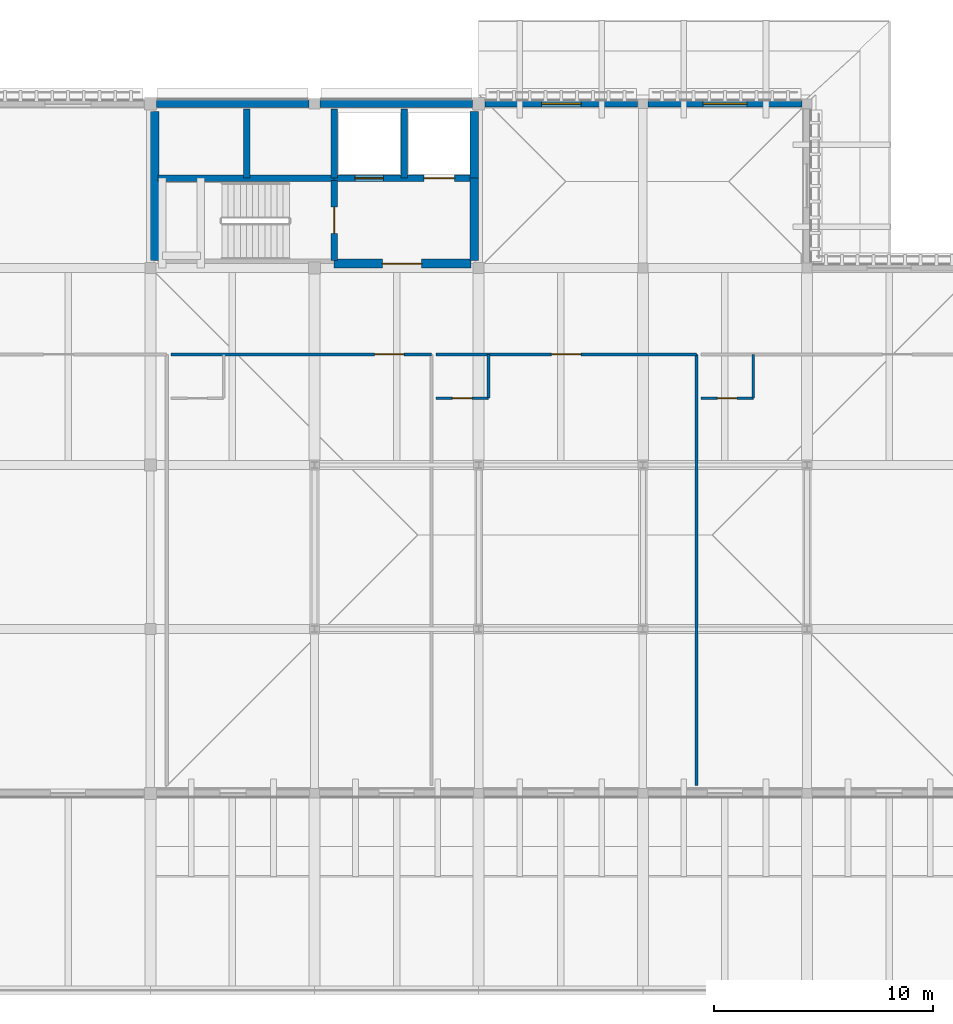
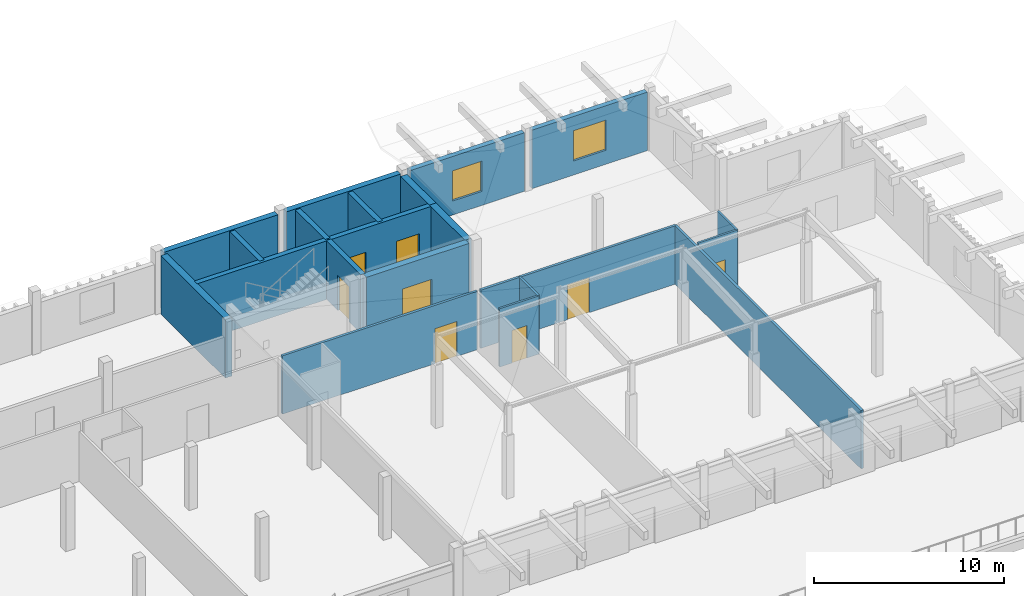
# One storey, part 25 of 48: 21 walls, 8 doors, 2 windows, 10 openings.
"""IFC4 building model written with IfcOpenShell, lengths in metres."""

from ifc_helpers import new_model, si_unit, direction, frame, frame_2d, origin, place, context, subcontext, project, spatial, rectangle, extrude, material, layer, layer_set, type_object, element, fill, save


model = new_model("IFC4")

# Units and contexts
model_context = context("Model", 3, precision=1e-05, world=origin(), true_north=direction((0.0, 1.0)))
body_context = subcontext(model_context, "Body", "Model", "MODEL_VIEW")
ifc_project = project(units=[si_unit("LENGTHUNIT", "METRE"), si_unit("AREAUNIT", "SQUARE_METRE"), si_unit("VOLUMEUNIT", "CUBIC_METRE"), si_unit("PLANEANGLEUNIT", "RADIAN"), si_unit("MASSUNIT", "GRAM", prefix="KILO")], contexts=[model_context])

# Site, building, storey
site_placement = place(None, origin())
site = spatial("IfcSite", under=ifc_project, at=site_placement, CompositionType="ELEMENT")
building_placement = place(site_placement, origin())
building = spatial("IfcBuilding", under=site, at=building_placement, Name="Dalvernix Boulevard General Hospital", CompositionType="ELEMENT")
storey_placement = place(building_placement, frame((0.0, 0.0, 17.85009765625)))
storey = spatial("IfcBuildingStorey", under=building, at=storey_placement, Name="L04", CompositionType="ELEMENT", Elevation=17.85009765625)

# Wall, opening, door
ifc_material_1 = material(Name="Concrete C40/50", Category="concrete")
ifc_layer_1 = layer(ifc_material_1, 0.39990234375)
ifc_layer_set_1 = layer_set([ifc_layer_1], Name="Concrete C40/50 (WAL-CSW-01)")
wall_type_1 = type_object("IfcWallType", Name="WAL-CSW-01", PredefinedType="SHEAR", material=ifc_layer_set_1)
wall_1_placement = place(storey_placement, frame((105.89990234375, 109.699951171875, 0.0), z_axis=(0.0, 0.0, 1.0), x_axis=(1.0, 0.0, 0.0)))
wall_1 = element("IfcWall", 1, at=wall_1_placement, inside=storey, type_object=wall_type_1, Name="L04 C4 south firefighting lobby wall", PredefinedType="SHEAR", context=body_context, shape_type="SweptSolid", body=[
    extrude(rectangle(XDim=6.25, YDim=0.39990234375, at=frame_2d((3.125, 0.0))), origin(), (0.0, 0.0, 1.0), 3.77001953125),
])
opening_1_placement = place(wall_1_placement, frame((2.199951171875, 0.0, 0.0)))
opening_1 = element("IfcOpeningElement", 2, at=opening_1_placement, cuts=wall_1, Name="Opening FD-01", PredefinedType="OPENING", context=body_context, shape_type="SweptSolid", body=[
    extrude(rectangle(XDim=1.800048828125, YDim=2.25, at=frame_2d((0.89990234375, 1.125))), frame((0.0, 0.2099609375, 0.0), z_axis=(0.0, -1.0, 0.0), x_axis=(1.0, 0.0, 0.0)), (0.0, 0.0, 1.0), 0.419921875),
])
ifc_material_2 = material(Name="Hospital laminate acoustic timber and steel frame", Category="steel")
door_type_1 = type_object("IfcDoorType", Name="DR-FD-01", OperationType="DOUBLE_DOOR_SINGLE_SWING", PredefinedType="DOOR", material=ifc_material_2)
door_1_placement = place(opening_1_placement, origin())
door_1 = element("IfcDoor", 3, at=door_1_placement, inside=storey, type_object=door_type_1, Name="L04 C4 firefighting lobby door", OperationType="DOUBLE_DOOR_SINGLE_SWING", OverallHeight=2.25, OverallWidth=1.800048828125, PredefinedType="DOOR", context=body_context, shape_type="SweptSolid", body=[
    extrude(rectangle(XDim=1.800048828125, YDim=2.25, at=frame_2d((0.89990234375, 1.125))), frame((0.0, 0.02490234375, 0.0), z_axis=(0.0, -1.0, 0.0), x_axis=(1.0, 0.0, 0.0)), (0.0, 0.0, 1.0), 0.050048828125),
])
fill(opening_1, door_1)

# Walls
wall_2_placement = place(storey_placement, frame((97.699951171875, 109.85009765625, 0.0), z_axis=(0.0, 0.0, 1.0), x_axis=(0.0, 1.0, 0.0)))
element("IfcWall", 4, at=wall_2_placement, inside=storey, type_object=wall_type_1, Name="L04 C4 west core wall", PredefinedType="SHEAR", context=body_context, shape_type="SweptSolid", body=[
    extrude(rectangle(XDim=6.7998046875, YDim=0.39990234375, at=frame_2d((3.39990234375, 0.0))), origin(), (0.0, 0.0, 1.0), 3.77001953125),
])
wall_3_placement = place(storey_placement, frame((112.300048828125, 109.85009765625, 0.0), z_axis=(0.0, 0.0, 1.0), x_axis=(0.0, 1.0, 0.0)))
element("IfcWall", 5, at=wall_3_placement, inside=storey, type_object=wall_type_1, Name="L04 C4 east lobby core wall", PredefinedType="SHEAR", context=body_context, shape_type="SweptSolid", body=[
    extrude(rectangle(XDim=3.75, YDim=0.39990234375, at=frame_2d((1.875, 0.0))), origin(), (0.0, 0.0, 1.0), 3.77001953125),
])
wall_4_placement = place(storey_placement, frame((112.300048828125, 113.60009765625, 0.0), z_axis=(0.0, 0.0, 1.0), x_axis=(0.0, 1.0, 0.0)))
element("IfcWall", 6, at=wall_4_placement, inside=storey, type_object=wall_type_1, Name="L04 C4 east shaft core wall", PredefinedType="SHEAR", context=body_context, shape_type="SweptSolid", body=[
    extrude(rectangle(XDim=3.0498046875, YDim=0.39990234375, at=frame_2d((1.52490234375, 0.0))), origin(), (0.0, 0.0, 1.0), 3.77001953125),
])
ifc_layer_2 = layer(ifc_material_1, 0.300048828125)
ifc_layer_set_2 = layer_set([ifc_layer_2], Name="Concrete C40/50 (WAL-CSW-02)")
wall_type_2 = type_object("IfcWallType", Name="WAL-CSW-02", PredefinedType="SHEAR", material=ifc_layer_set_2)
wall_5_placement = place(storey_placement, frame((97.85009765625, 113.60009765625, 0.0), z_axis=(0.0, 0.0, 1.0), x_axis=(1.0, 0.0, 0.0)))
element("IfcWall", 7, at=wall_5_placement, inside=storey, type_object=wall_type_2, Name="L04 C4 riser spine wall", PredefinedType="SHEAR", context=body_context, shape_type="SweptSolid", body=[
    extrude(rectangle(XDim=8.0498046875, YDim=0.300048828125, at=frame_2d((4.02490234375, 0.0))), origin(), (0.0, 0.0, 1.0), 3.77001953125),
])

# Wall, openings, doors
wall_6_placement = place(storey_placement, frame((105.89990234375, 113.60009765625, 0.0), z_axis=(0.0, 0.0, 1.0), x_axis=(1.0, 0.0, 0.0)))
wall_6 = element("IfcWall", 8, at=wall_6_placement, inside=storey, type_object=wall_type_2, Name="L04 C4 lift shaft front wall", PredefinedType="SHEAR", context=body_context, shape_type="SweptSolid", body=[
    extrude(rectangle(XDim=6.25, YDim=0.300048828125, at=frame_2d((3.125, 0.0))), origin(), (0.0, 0.0, 1.0), 3.77001953125),
])
opening_2_placement = place(wall_6_placement, frame((0.949951171875, 0.0, 0.0)))
opening_2 = element("IfcOpeningElement", 9, at=opening_2_placement, cuts=wall_6, Name="Opening LD-LF-03-L04", PredefinedType="OPENING", context=body_context, shape_type="SweptSolid", body=[
    extrude(rectangle(XDim=1.300048828125, YDim=2.199951171875, at=frame_2d((0.64990234375, 1.10009765625))), frame((0.0, 0.159912109375, 0.0), z_axis=(0.0, -1.0, 0.0), x_axis=(1.0, 0.0, 0.0)), (0.0, 0.0, 1.0), 0.320068359375),
])
opening_3_placement = place(wall_6_placement, frame((4.10009765625, 0.0, 0.0)))
opening_3 = element("IfcOpeningElement", 10, at=opening_3_placement, cuts=wall_6, Name="Opening LD-GL-01-L04", PredefinedType="OPENING", context=body_context, shape_type="SweptSolid", body=[
    extrude(rectangle(XDim=1.39990234375, YDim=2.25, at=frame_2d((0.699951171875, 1.125))), frame((0.0, 0.159912109375, 0.0), z_axis=(0.0, -1.0, 0.0), x_axis=(1.0, 0.0, 0.0)), (0.0, 0.0, 1.0), 0.320068359375),
])
ifc_material_3 = material(Name="Stainless-clad steel", Category="steel")
door_type_2 = type_object("IfcDoorType", Name="DR-LD-01", OperationType="DOUBLE_DOOR_SLIDING", PredefinedType="DOOR", material=ifc_material_3)
door_2_placement = place(opening_3_placement, origin())
door_2 = element("IfcDoor", 11, at=door_2_placement, inside=storey, type_object=door_type_2, Name="L04 Lift GL-01 sliding landing door", OperationType="DOUBLE_DOOR_SLIDING", OverallHeight=2.25, OverallWidth=1.39990234375, PredefinedType="DOOR", context=body_context, shape_type="SweptSolid", body=[
    extrude(rectangle(XDim=1.39990234375, YDim=2.25, at=frame_2d((0.699951171875, 1.125))), frame((0.0, 0.02490234375, 0.0), z_axis=(0.0, -1.0, 0.0), x_axis=(1.0, 0.0, 0.0)), (0.0, 0.0, 1.0), 0.050048828125),
])
fill(opening_3, door_2)
door_type_3 = type_object("IfcDoorType", Name="DR-LD-02", OperationType="DOUBLE_DOOR_SLIDING", PredefinedType="DOOR", material=ifc_material_3)
door_3_placement = place(opening_2_placement, origin())
door_3 = element("IfcDoor", 12, at=door_3_placement, inside=storey, type_object=door_type_3, Name="L04 Lift LF-03 sliding landing door", OperationType="DOUBLE_DOOR_SLIDING", OverallHeight=2.199951171875, OverallWidth=1.300048828125, PredefinedType="DOOR", context=body_context, shape_type="SweptSolid", body=[
    extrude(rectangle(XDim=1.300048828125, YDim=2.199951171875, at=frame_2d((0.64990234375, 1.10009765625))), frame((0.0, 0.02490234375, 0.0), z_axis=(0.0, -1.0, 0.0), x_axis=(1.0, 0.0, 0.0)), (0.0, 0.0, 1.0), 0.050048828125),
])
fill(opening_2, door_3)

# Wall, opening, door
wall_7_placement = place(storey_placement, frame((105.89990234375, 113.5, 0.0), z_axis=(0.0, 0.0, 1.0), x_axis=(0.0, -1.0, 0.0)))
wall_7 = element("IfcWall", 13, at=wall_7_placement, inside=storey, type_object=wall_type_2, Name="L04 C4 stairwell fire wall", PredefinedType="SHEAR", context=body_context, shape_type="SweptSolid", body=[
    extrude(rectangle(XDim=3.64990234375, YDim=0.300048828125, at=frame_2d((1.824951171875, 0.0))), origin(), (0.0, 0.0, 1.0), 3.77001953125),
])
opening_4_placement = place(wall_7_placement, frame((1.219970703125, 0.0, 0.0)))
opening_4 = element("IfcOpeningElement", 14, at=opening_4_placement, cuts=wall_7, Name="Opening FD-02", PredefinedType="OPENING", context=body_context, shape_type="SweptSolid", body=[
    extrude(rectangle(XDim=1.199951171875, YDim=2.25, at=frame_2d((0.60009765625, 1.125))), frame((0.0, 0.159912109375, 0.0), z_axis=(0.0, -1.0, 0.0), x_axis=(1.0, 0.0, 0.0)), (0.0, 0.0, 1.0), 0.320068359375),
])
door_type_4 = type_object("IfcDoorType", Name="DR-FD-02", OperationType="NOTDEFINED", PredefinedType="DOOR", material=ifc_material_2)
door_4_placement = place(opening_4_placement, origin())
door_4 = element("IfcDoor", 15, at=door_4_placement, inside=storey, type_object=door_type_4, Name="L04 Stair ST-04 fire door", OperationType="SINGLE_SWING_RIGHT", OverallHeight=2.25, OverallWidth=1.199951171875, PredefinedType="DOOR", context=body_context, shape_type="SweptSolid", body=[
    extrude(rectangle(XDim=1.199951171875, YDim=2.25, at=frame_2d((0.60009765625, 1.125))), frame((0.0, 0.02490234375, 0.0), z_axis=(0.0, -1.0, 0.0), x_axis=(1.0, 0.0, 0.0)), (0.0, 0.0, 1.0), 0.050048828125),
])
fill(opening_4, door_4)

# Walls
for number, where, z_axis, x_axis, name in (
    (16, (101.89990234375, 113.60009765625, 0.0), (0.0, 0.0, 1.0), (0.0, 1.0, 0.0), "L04 C4 shaft divider R1"),
    (17, (105.89990234375, 113.60009765625, 0.0), (0.0, 0.0, 1.0), (0.0, 1.0, 0.0), "L04 C4 shaft divider R2"),
    (18, (109.10009765625, 113.60009765625, 0.0), (0.0, 0.0, 1.0), (0.0, 1.0, 0.0), "L04 C4 shaft divider L1"),
):
    element("IfcWall", number, at=place(storey_placement, frame(where, z_axis=z_axis, x_axis=x_axis)), inside=storey, type_object=wall_type_2, Name=name, PredefinedType="SHEAR", context=body_context, shape_type="SweptSolid", body=[
        extrude(rectangle(XDim=3.14990234375, YDim=0.300048828125, at=frame_2d((1.574951171875, 0.0))), origin(), (0.0, 0.0, 1.0), 3.77001953125),
    ])
ifc_layer_3 = layer(ifc_material_1, 0.35009765625)
ifc_layer_set_3 = layer_set([ifc_layer_3], Name="Concrete C40/50 (WAL-ESW-01)")
wall_type_3 = type_object("IfcWallType", Name="WAL-ESW-01", PredefinedType="SHEAR", material=ifc_layer_set_3)
for number, where, z_axis, x_axis, name in (
    (19, (97.784912109375, 117.0, 0.0), (0.0, 0.0, 1.0), (1.0, 0.0, 0.0), "L04 core perimeter shear wall N 13-15"),
    (20, (105.260009765625, 117.0, 0.0), (0.0, 0.0, 1.0), (1.0, 0.0, 0.0), "L04 core perimeter shear wall N 14-15"),
):
    element("IfcWall", number, at=place(storey_placement, frame(where, z_axis=z_axis, x_axis=x_axis)), inside=storey, type_object=wall_type_3, Name=name, PredefinedType="SHEAR", context=body_context, shape_type="SweptSolid", body=[
        extrude(rectangle(XDim=6.955078125, YDim=0.35009765625, at=frame_2d((3.4775390625, 0.0))), origin(), (0.0, 0.0, 1.0), 3.77001953125),
    ])

# Wall, opening, window
ifc_material_4 = material(Name="Pressed Catalan clay brick and ceramic spandrel wall C35/45", Category="masonry")
ifc_layer_4 = layer(ifc_material_4, 0.300048828125)
ifc_layer_set_4 = layer_set([ifc_layer_4], Name="Pressed Catalan clay brick and ceramic spandrel wall C35/45 (WAL-EW-02)")
wall_type_4 = type_object("IfcWallType", Name="WAL-EW-02", PredefinedType="STANDARD", material=ifc_layer_set_4)
wall_8_placement = place(storey_placement, frame((112.784912109375, 117.0, 0.0), z_axis=(0.0, 0.0, 1.0), x_axis=(1.0, 0.0, 0.0)))
wall_8 = element("IfcWall", 21, at=wall_8_placement, inside=storey, type_object=wall_type_4, Name="L04 Catalan brick external wall N 15-15", PredefinedType="STANDARD", context=body_context, shape_type="SweptSolid", body=[
    extrude(rectangle(XDim=6.97998046875, YDim=0.300048828125, at=frame_2d((3.489990234375, 0.0))), origin(), (0.0, 0.0, 1.0), 3.77001953125),
])
opening_5_placement = place(wall_8_placement, frame((2.590087890625, 0.0, 0.89990234375)))
opening_5 = element("IfcOpeningElement", 22, at=opening_5_placement, cuts=wall_8, Name="Opening WN-11", PredefinedType="OPENING", context=body_context, shape_type="SweptSolid", body=[
    extrude(rectangle(XDim=1.800048828125, YDim=1.949951171875, at=frame_2d((0.89990234375, 0.97509765625))), frame((0.0, 0.159912109375, 0.0), z_axis=(0.0, -1.0, 0.0), x_axis=(1.0, 0.0, 0.0)), (0.0, 0.0, 1.0), 0.320068359375),
])
ifc_material_5 = material(Name="Thermally broken aluminium frame with solar-control double glazing", Category="aluminium")
window_type_1 = type_object("IfcWindowType", Name="WIN-WN-11", PartitioningType="SINGLE_PANEL", PredefinedType="WINDOW", material=ifc_material_5)
window_1_placement = place(opening_5_placement, origin())
window_1 = element("IfcWindow", 23, at=window_1_placement, inside=storey, type_object=window_type_1, Name="L04 clinical window WN-11 N 15-15", OverallHeight=1.949951171875, OverallWidth=1.800048828125, PartitioningType="SINGLE_PANEL", PredefinedType="WINDOW", context=body_context, shape_type="SweptSolid", body=[
    extrude(rectangle(XDim=1.800048828125, YDim=1.949951171875, at=frame_2d((0.89990234375, 0.97509765625))), frame((0.0, 0.030029296875, 0.0), z_axis=(0.0, -1.0, 0.0), x_axis=(1.0, 0.0, 0.0)), (0.0, 0.0, 1.0), 0.06005859375),
])
fill(opening_5, window_1)

wall_9_placement = place(storey_placement, frame((120.235107421875, 117.0, 0.0), z_axis=(0.0, 0.0, 1.0), x_axis=(1.0, 0.0, 0.0)))
wall_9 = element("IfcWall", 24, at=wall_9_placement, inside=storey, type_object=wall_type_4, Name="L04 Catalan brick external wall N 16-15", PredefinedType="STANDARD", context=body_context, shape_type="SweptSolid", body=[
    extrude(rectangle(XDim=7.02978515625, YDim=0.300048828125, at=frame_2d((3.514892578125, 0.0))), origin(), (0.0, 0.0, 1.0), 3.77001953125),
])
opening_6_placement = place(wall_9_placement, frame((2.514892578125, 0.0, 0.89990234375)))
opening_6 = element("IfcOpeningElement", 25, at=opening_6_placement, cuts=wall_9, Name="Opening WN-12", PredefinedType="OPENING", context=body_context, shape_type="SweptSolid", body=[
    extrude(rectangle(XDim=2.0, YDim=1.949951171875, at=frame_2d((1.0, 0.97509765625))), frame((0.0, 0.159912109375, 0.0), z_axis=(0.0, -1.0, 0.0), x_axis=(1.0, 0.0, 0.0)), (0.0, 0.0, 1.0), 0.320068359375),
])
window_type_2 = type_object("IfcWindowType", Name="WIN-WN-12", PartitioningType="SINGLE_PANEL", PredefinedType="WINDOW", material=ifc_material_5)
window_2_placement = place(opening_6_placement, origin())
window_2 = element("IfcWindow", 26, at=window_2_placement, inside=storey, type_object=window_type_2, Name="L04 clinical window WN-12 N 16-15", OverallHeight=1.949951171875, OverallWidth=2.0, PartitioningType="SINGLE_PANEL", PredefinedType="WINDOW", context=body_context, shape_type="SweptSolid", body=[
    extrude(rectangle(XDim=2.0, YDim=1.949951171875, at=frame_2d((1.0, 0.97509765625))), frame((0.0, 0.030029296875, 0.0), z_axis=(0.0, -1.0, 0.0), x_axis=(1.0, 0.0, 0.0)), (0.0, 0.0, 1.0), 0.06005859375),
])
fill(opening_6, window_2)

# Wall, opening, door
ifc_material_6 = material(Name="Acoustic double-stud gypsum inpatient partition")
ifc_layer_5 = layer(ifc_material_6, 0.14990234375)
ifc_layer_set_5 = layer_set([ifc_layer_5], Name="Acoustic double-stud gypsum inpatient partition (WAL-IW-04)")
wall_type_5 = type_object("IfcWallType", Name="WAL-IW-04", PredefinedType="PARTITIONING", material=ifc_layer_set_5)
wall_10_placement = place(storey_placement, frame((110.35009765625, 105.550048828125, 0.0), z_axis=(0.0, 0.0, 1.0), x_axis=(-1.0, 0.0, 0.0)))
wall_10 = element("IfcWall", 27, at=wall_10_placement, inside=storey, type_object=wall_type_5, Name="L04 Post-Operative Surgical Patient Room L04-06 corridor wall", PredefinedType="PARTITIONING", context=body_context, shape_type="SweptSolid", body=[
    extrude(rectangle(XDim=11.900146484375, YDim=0.14990234375, at=frame_2d((5.9501953125, 0.0))), origin(), (0.0, 0.0, 1.0), 3.7548828125),
])
opening_7_placement = place(wall_10_placement, frame((1.2548828125, 0.0, 0.0)))
opening_7 = element("IfcOpeningElement", 28, at=opening_7_placement, cuts=wall_10, Name="Opening ID-01", PredefinedType="OPENING", context=body_context, shape_type="SweptSolid", body=[
    extrude(rectangle(XDim=1.35009765625, YDim=2.25, at=frame_2d((0.675048828125, 1.125))), frame((0.0, 0.0849609375, 0.0), z_axis=(0.0, -1.0, 0.0), x_axis=(1.0, 0.0, 0.0)), (0.0, 0.0, 1.0), 0.169921875),
])
door_type_5 = type_object("IfcDoorType", Name="DR-ID-01", OperationType="NOTDEFINED", PredefinedType="DOOR", material=ifc_material_2)
door_5_placement = place(opening_7_placement, origin())
door_5 = element("IfcDoor", 29, at=door_5_placement, inside=storey, type_object=door_type_5, Name="L04 Post-Operative Surgical Patient Room L04-06 door", OperationType="SINGLE_SWING_LEFT", OverallHeight=2.25, OverallWidth=1.35009765625, PredefinedType="DOOR", context=body_context, shape_type="SweptSolid", body=[
    extrude(rectangle(XDim=1.35009765625, YDim=2.25, at=frame_2d((0.675048828125, 1.125))), frame((0.0, 0.02490234375, 0.0), z_axis=(0.0, -1.0, 0.0), x_axis=(1.0, 0.0, 0.0)), (0.0, 0.0, 1.0), 0.050048828125),
])
fill(opening_7, door_5)

wall_11_placement = place(storey_placement, frame((122.449951171875, 105.550048828125, 0.0), z_axis=(0.0, 0.0, 1.0), x_axis=(-1.0, 0.0, 0.0)))
wall_11 = element("IfcWall", 30, at=wall_11_placement, inside=storey, type_object=wall_type_5, Name="L04 Post-Operative Surgical Patient Room L04-07 corridor wall", PredefinedType="PARTITIONING", context=body_context, shape_type="SweptSolid", body=[
    extrude(rectangle(XDim=11.89990234375, YDim=0.14990234375, at=frame_2d((5.949951171875, 0.0))), origin(), (0.0, 0.0, 1.0), 3.7548828125),
])
opening_8_placement = place(wall_11_placement, frame((5.27490234375, 0.0, 0.0)))
opening_8 = element("IfcOpeningElement", 31, at=opening_8_placement, cuts=wall_11, Name="Opening ID-01", PredefinedType="OPENING", context=body_context, shape_type="SweptSolid", body=[
    extrude(rectangle(XDim=1.35009765625, YDim=2.25, at=frame_2d((0.675048828125, 1.125))), frame((0.0, 0.0849609375, 0.0), z_axis=(0.0, -1.0, 0.0), x_axis=(1.0, 0.0, 0.0)), (0.0, 0.0, 1.0), 0.169921875),
])
door_6_placement = place(opening_8_placement, origin())
door_6 = element("IfcDoor", 32, at=door_6_placement, inside=storey, type_object=door_type_5, Name="L04 Post-Operative Surgical Patient Room L04-07 door", OperationType="SINGLE_SWING_LEFT", OverallHeight=2.25, OverallWidth=1.35009765625, PredefinedType="DOOR", context=body_context, shape_type="SweptSolid", body=[
    extrude(rectangle(XDim=1.35009765625, YDim=2.25, at=frame_2d((0.675048828125, 1.125))), frame((0.0, 0.02490234375, 0.0), z_axis=(0.0, -1.0, 0.0), x_axis=(1.0, 0.0, 0.0)), (0.0, 0.0, 1.0), 0.050048828125),
])
fill(opening_8, door_6)

# Wall
wall_12_placement = place(storey_placement, frame((122.449951171875, 85.85009765625, 0.0), z_axis=(0.0, 0.0, 1.0), x_axis=(0.0, 1.0, 0.0)))
element("IfcWall", 33, at=wall_12_placement, inside=storey, type_object=wall_type_5, Name="L04 Post-Operative Surgical Patient Room L04-07 partition", PredefinedType="PARTITIONING", context=body_context, shape_type="SweptSolid", body=[
    extrude(rectangle(XDim=19.699951171875, YDim=0.14990234375, at=frame_2d((9.85009765625, 0.0))), origin(), (0.0, 0.0, 1.0), 3.7548828125),
])

# Wall, opening, door
ifc_material_7 = material(Name="Moisture-resistant en-suite bathroom partition")
ifc_layer_6 = layer(ifc_material_7, 0.1201171875)
ifc_layer_set_6 = layer_set([ifc_layer_6], Name="Moisture-resistant en-suite bathroom partition (WAL-IW-05)")
wall_type_6 = type_object("IfcWallType", Name="WAL-IW-05", PredefinedType="PARTITIONING", material=ifc_layer_set_6)
wall_13_placement = place(storey_placement, frame((110.550048828125, 103.550048828125, 0.0), z_axis=(0.0, 0.0, 1.0), x_axis=(1.0, 0.0, 0.0)))
wall_13 = element("IfcWall", 34, at=wall_13_placement, inside=storey, type_object=wall_type_6, Name="L04 en-suite bathroom door wall", PredefinedType="PARTITIONING", context=body_context, shape_type="SweptSolid", body=[
    extrude(rectangle(XDim=2.39990234375, YDim=0.1201171875, at=frame_2d((1.199951171875, 0.0))), origin(), (0.0, 0.0, 1.0), 3.7548828125),
])
opening_9_placement = place(wall_13_placement, frame((0.75, 0.0, 0.0)))
opening_9 = element("IfcOpeningElement", 35, at=opening_9_placement, cuts=wall_13, Name="Opening ID-05", PredefinedType="OPENING", context=body_context, shape_type="SweptSolid", body=[
    extrude(rectangle(XDim=0.89990234375, YDim=2.10009765625, at=frame_2d((0.449951171875, 1.050048828125))), frame((0.0, 0.070068359375, 0.0), z_axis=(0.0, -1.0, 0.0), x_axis=(1.0, 0.0, 0.0)), (0.0, 0.0, 1.0), 0.14013671875),
])
door_type_6 = type_object("IfcDoorType", Name="DR-ID-05", OperationType="NOTDEFINED", PredefinedType="DOOR", material=ifc_material_2)
door_7_placement = place(opening_9_placement, origin())
door_7 = element("IfcDoor", 36, at=door_7_placement, inside=storey, type_object=door_type_6, Name="L04 L04-SURG-W07 en-suite bathroom door", OperationType="SINGLE_SWING_RIGHT", OverallHeight=2.10009765625, OverallWidth=0.89990234375, PredefinedType="DOOR", context=body_context, shape_type="SweptSolid", body=[
    extrude(rectangle(XDim=0.89990234375, YDim=2.10009765625, at=frame_2d((0.449951171875, 1.050048828125))), frame((0.0, 0.02490234375, 0.0), z_axis=(0.0, -1.0, 0.0), x_axis=(1.0, 0.0, 0.0)), (0.0, 0.0, 1.0), 0.050048828125),
])
fill(opening_9, door_7)

# Wall
wall_14_placement = place(storey_placement, frame((112.949951171875, 103.550048828125, 0.0), z_axis=(0.0, 0.0, 1.0), x_axis=(0.0, 1.0, 0.0)))
element("IfcWall", 37, at=wall_14_placement, inside=storey, type_object=wall_type_6, Name="L04 en-suite bathroom side wall", PredefinedType="PARTITIONING", context=body_context, shape_type="SweptSolid", body=[
    extrude(rectangle(XDim=2.0, YDim=0.1201171875, at=frame_2d((1.0, 0.0))), origin(), (0.0, 0.0, 1.0), 3.7548828125),
])

# Wall, opening, door
wall_15_placement = place(storey_placement, frame((122.64990234375, 103.550048828125, 0.0), z_axis=(0.0, 0.0, 1.0), x_axis=(1.0, 0.0, 0.0)))
wall_15 = element("IfcWall", 38, at=wall_15_placement, inside=storey, type_object=wall_type_6, Name="L04 en-suite bathroom door wall", PredefinedType="PARTITIONING", context=body_context, shape_type="SweptSolid", body=[
    extrude(rectangle(XDim=2.400146484375, YDim=0.1201171875, at=frame_2d((1.2001953125, 0.0))), origin(), (0.0, 0.0, 1.0), 3.7548828125),
])
opening_10_placement = place(wall_15_placement, frame((0.75, 0.0, 0.0)))
opening_10 = element("IfcOpeningElement", 39, at=opening_10_placement, cuts=wall_15, Name="Opening ID-05", PredefinedType="OPENING", context=body_context, shape_type="SweptSolid", body=[
    extrude(rectangle(XDim=0.89990234375, YDim=2.10009765625, at=frame_2d((0.449951171875, 1.050048828125))), frame((0.0, 0.070068359375, 0.0), z_axis=(0.0, -1.0, 0.0), x_axis=(1.0, 0.0, 0.0)), (0.0, 0.0, 1.0), 0.14013671875),
])
door_8_placement = place(opening_10_placement, origin())
door_8 = element("IfcDoor", 40, at=door_8_placement, inside=storey, type_object=door_type_6, Name="L04 L04-SURG-W08 en-suite bathroom door", OperationType="SINGLE_SWING_RIGHT", OverallHeight=2.10009765625, OverallWidth=0.89990234375, PredefinedType="DOOR", context=body_context, shape_type="SweptSolid", body=[
    extrude(rectangle(XDim=0.89990234375, YDim=2.10009765625, at=frame_2d((0.449951171875, 1.050048828125))), frame((0.0, 0.02490234375, 0.0), z_axis=(0.0, -1.0, 0.0), x_axis=(1.0, 0.0, 0.0)), (0.0, 0.0, 1.0), 0.050048828125),
])
fill(opening_10, door_8)

# Wall
wall_16_placement = place(storey_placement, frame((125.050048828125, 103.550048828125, 0.0), z_axis=(0.0, 0.0, 1.0), x_axis=(0.0, 1.0, 0.0)))
element("IfcWall", 41, at=wall_16_placement, inside=storey, type_object=wall_type_6, Name="L04 en-suite bathroom side wall", PredefinedType="PARTITIONING", context=body_context, shape_type="SweptSolid", body=[
    extrude(rectangle(XDim=2.0, YDim=0.1201171875, at=frame_2d((1.0, 0.0))), origin(), (0.0, 0.0, 1.0), 3.7548828125),
])

save(model, "model.ifc")
